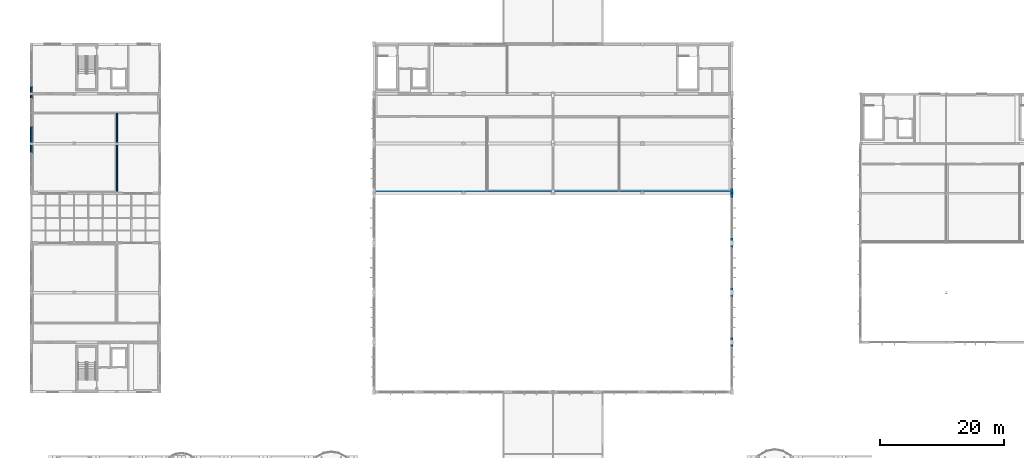
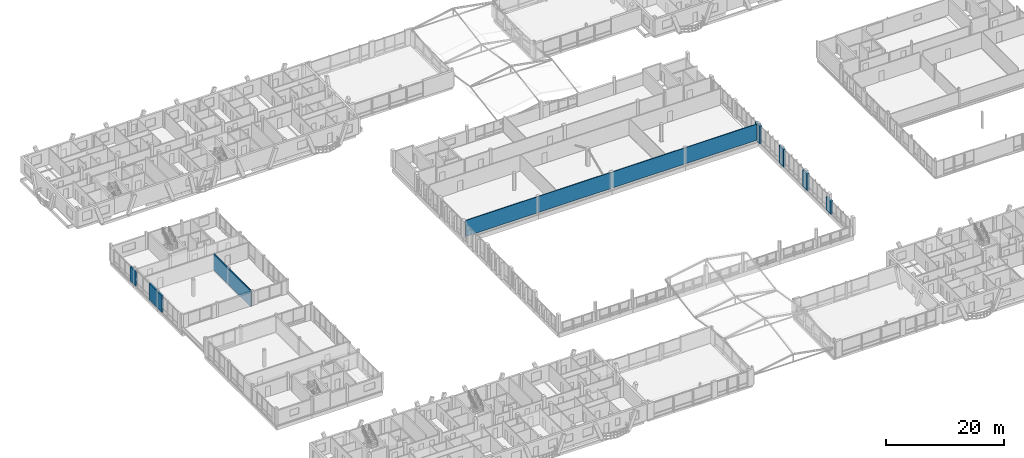
# One storey, part 149 of 189: 9 walls.
"""IFC4 building model written with IfcOpenShell, lengths in metres."""

import ifcopenshell
import ifcopenshell.guid

model = None  # the IFC model being written
_history = None  # IfcOwnerHistory: only IFC2X3 demands one
_inside = {}  # id of a spatial element -> (the spatial element, [elements in it])
_under = {}  # id of a project, library or spatial element -> (it, [spatial elements below it])
_declared = {}  # id of a project -> (the project, [libraries it declares])
_typed = {}  # id of a type object -> (the type object, [elements of that type])
_made_of = {}  # id of a material, layer set ... -> (it, [elements and type objects made of it])


def new_model(schema):
    """Start an empty IFC model of exactly this schema.

    Asked for "IFC4X3", IfcOpenShell would pick the latest addendum, in which some entities
    have other attributes; the version numbers below select the first issue.
    IFC2X3 requires an IfcOwnerHistory on every rooted entity: one is made here for all.
    """
    global model, _history
    if schema == "IFC4X3":
        model = ifcopenshell.file(schema_version=(4, 3, 0, 0))
    else:
        model = ifcopenshell.file(schema=schema)
    _inside.clear()
    _under.clear()
    _declared.clear()
    _typed.clear()
    _made_of.clear()
    _history = None
    if model.schema == "IFC2X3":
        org = make("IfcOrganization", Name="unknown")
        user = make(
            "IfcPersonAndOrganization",
            ThePerson=make("IfcPerson", FamilyName="unknown"),
            TheOrganization=org,
        )
        app = make(
            "IfcApplication",
            ApplicationDeveloper=org,
            Version="unknown",
            ApplicationFullName="unknown",
            ApplicationIdentifier="unknown",
        )
        _history = make(
            "IfcOwnerHistory",
            OwningUser=user,
            OwningApplication=app,
            ChangeAction="ADDED",
            CreationDate=0,
        )
    return model


def make(cls, **values):
    """One entity of the class cls with the attributes given. An attribute that is None is left unset."""
    return model.create_entity(
        cls, **{name: value for name, value in values.items() if value is not None}
    )


def rooted(cls, **values):
    """An entity with a GlobalId (a new one), such as an element, a storey or a relation."""
    return make(cls, GlobalId=ifcopenshell.guid.new(), OwnerHistory=_history, **values)


def si_unit(unit_type, name, prefix=None):
    """IfcSIUnit, for example si_unit("LENGTHUNIT", "METRE", prefix="MILLI")."""
    return make("IfcSIUnit", UnitType=unit_type, Prefix=prefix, Name=name)


def assignment(units):
    """IfcUnitAssignment: the units of a project."""
    return None if units is None else make("IfcUnitAssignment", Units=units)


def point(xyz):
    """IfcCartesianPoint."""
    return None if xyz is None else make("IfcCartesianPoint", Coordinates=xyz)


def direction(xyz):
    """IfcDirection."""
    return None if xyz is None else make("IfcDirection", DirectionRatios=xyz)


def frame(location, z_axis=None, x_axis=None):
    """IfcAxis2Placement3D, a coordinate frame: its origin and axes. An axis left out is left unset."""
    return make(
        "IfcAxis2Placement3D",
        Location=point(location),
        Axis=direction(z_axis),
        RefDirection=direction(x_axis),
    )


def frame_2d(location, x_axis=None):
    """IfcAxis2Placement2D, a coordinate frame in the plane: its origin and x axis."""
    return make(
        "IfcAxis2Placement2D", Location=point(location), RefDirection=direction(x_axis)
    )


def origin():
    """The frame at (0, 0, 0) with its axes left unset."""
    return frame((0.0, 0.0, 0.0))


def place(relative_to, where):
    """IfcLocalPlacement: puts the frame where relative to a parent placement (None: the world)."""
    return make(
        "IfcLocalPlacement", PlacementRelTo=relative_to, RelativePlacement=where
    )


def context(
    kind, dimensions, precision=None, world=None, true_north=None, identifier=None
):
    """IfcGeometricRepresentationContext, for example the 3D "Model" context."""
    return make(
        "IfcGeometricRepresentationContext",
        ContextIdentifier=identifier,
        ContextType=kind,
        CoordinateSpaceDimension=dimensions,
        Precision=precision,
        WorldCoordinateSystem=world,
        TrueNorth=true_north,
    )


def subcontext(parent, identifier, kind, view, scale=None):
    """IfcGeometricRepresentationSubContext, for example "Body" below "Model"."""
    return make(
        "IfcGeometricRepresentationSubContext",
        ContextIdentifier=identifier,
        ContextType=kind,
        ParentContext=parent,
        TargetScale=scale,
        TargetView=view,
    )


def project(units=None, contexts=None):
    """IfcProject with its units and contexts."""
    return rooted(
        "IfcProject",
        Name="project",
        RepresentationContexts=contexts,
        UnitsInContext=assignment(units),
    )


def spatial(cls, under=None, at=None, **own):
    """A site, building, storey or space (cls), placed at a placement, below another one or the project."""
    s = rooted(cls, ObjectPlacement=at, **own)
    if under is not None:
        _under.setdefault(under.id(), (under, []))[1].append(s)
    return s


def profile(cls, at=None, kind="AREA", **sizes):
    """A parametric profile (cls). Its sizes go by their IFC names, for example OverallWidth=200.0."""
    return make(cls, ProfileType=kind, Position=at, **sizes)


def rectangle(**sizes):
    """IfcRectangleProfileDef."""
    return profile("IfcRectangleProfileDef", **sizes)


def extrude(swept, where, along, depth):
    """IfcExtrudedAreaSolid: the profile swept, set in the frame where, extruded along a direction by depth."""
    return make(
        "IfcExtrudedAreaSolid",
        SweptArea=swept,
        Position=where,
        ExtrudedDirection=direction(along),
        Depth=depth,
    )


def shape(context_of_items, identifier, shape_type, items):
    """IfcShapeRepresentation: the items that make up one representation, for example the "Body"."""
    return make(
        "IfcShapeRepresentation",
        ContextOfItems=context_of_items,
        RepresentationIdentifier=identifier,
        RepresentationType=shape_type,
        Items=items,
    )


def material(Name=None, Category=None):
    """IfcMaterial."""
    return make("IfcMaterial", Name=Name, Category=Category)


def layer(
    of_material, thickness, ventilated=None, Name=None, Category=None, Priority=None
):
    """IfcMaterialLayer: one layer of a wall or slab, of a material (None: an air gap)."""
    return make(
        "IfcMaterialLayer",
        Material=of_material,
        LayerThickness=thickness,
        IsVentilated=ventilated,
        Name=Name,
        Category=Category,
        Priority=Priority,
    )


def layer_set(layers, Name=None):
    """IfcMaterialLayerSet."""
    return make("IfcMaterialLayerSet", MaterialLayers=layers, LayerSetName=Name)


def made_of(thing, what):
    """Note that an element or type object is made of a material, layer set ...; save() writes the relation."""
    if what is not None:
        _made_of.setdefault(what.id(), (what, []))[1].append(thing)
    return thing


def type_object(cls, material=None, **own):
    """A type object (cls), such as IfcWallType, which elements share."""
    return made_of(rooted(cls, **own), material)


def element(
    cls,
    number,
    at=None,
    inside=None,
    cuts=None,
    type_object=None,
    material=None,
    context=None,
    identifier="Body",
    shape_type=None,
    held_by="IfcProductDefinitionShape",
    body=None,
    shapes=None,
    **own,
):
    """One element of the class cls, such as IfcWall. Its Tag is "e" and its number.

    at: its placement. inside: the storey or other place that contains it. cuts: it is an
    opening in that element (IfcRelVoidsElement). A single representation is given by context,
    identifier, shape_type and body (its items); several are given by shapes. held_by: the class
    of the entity that holds the representations. save() writes the other relations.
    """
    e = rooted(cls, Tag="e%d" % number, ObjectPlacement=at, **own)
    if body is not None:
        shapes = [shape(context, identifier, shape_type, body)]
    if shapes is not None:
        e.Representation = make(held_by, Representations=shapes)
    if inside is not None:
        _inside.setdefault(inside.id(), (inside, []))[1].append(e)
    if cuts is not None:
        rooted(
            "IfcRelVoidsElement", RelatingBuildingElement=cuts, RelatedOpeningElement=e
        )
    if type_object is not None:
        _typed.setdefault(type_object.id(), (type_object, []))[1].append(e)
    return made_of(e, material)


def aggregate(whole, parts):
    """IfcRelAggregates: a whole, such as a stair, and the parts it consists of."""
    return rooted("IfcRelAggregates", RelatingObject=whole, RelatedObjects=parts)


def save(model, path):
    """Write the relations noted so far, then the file.

    IfcRelAggregates (storeys below a building ...), IfcRelContainedInSpatialStructure (elements
    in a storey), IfcRelDefinesByType, IfcRelAssociatesMaterial and IfcRelDeclares: one each for
    every whole, place, type object, material and project.
    """
    for whole, parts in _under.values():
        aggregate(whole, parts)
    for where, things in _inside.values():
        rooted(
            "IfcRelContainedInSpatialStructure",
            RelatedElements=things,
            RelatingStructure=where,
        )
    for kind, things in _typed.values():
        rooted("IfcRelDefinesByType", RelatedObjects=things, RelatingType=kind)
    for what, things in _made_of.values():
        rooted("IfcRelAssociatesMaterial", RelatedObjects=things, RelatingMaterial=what)
    for by, libraries in _declared.values():
        rooted("IfcRelDeclares", RelatingContext=by, RelatedDefinitions=libraries)
    model.write(path)


model = new_model("IFC4")

# Units and contexts
model_context = context("Model", 3, precision=1e-05, world=origin(), true_north=direction((0.0, 1.0)))
body_context = subcontext(model_context, "Body", "Model", "MODEL_VIEW")
ifc_project = project(units=[si_unit("LENGTHUNIT", "METRE"), si_unit("AREAUNIT", "SQUARE_METRE"), si_unit("VOLUMEUNIT", "CUBIC_METRE"), si_unit("PLANEANGLEUNIT", "RADIAN"), si_unit("MASSUNIT", "GRAM", prefix="KILO")], contexts=[model_context])

# Site, building, storey
site_placement = place(None, origin())
site = spatial("IfcSite", under=ifc_project, at=site_placement, CompositionType="ELEMENT")
building_placement = place(site_placement, origin())
building = spatial("IfcBuilding", under=site, at=building_placement, Name="Zavelmont Quarter", CompositionType="ELEMENT")
storey_placement = place(building_placement, frame((0.0, 0.0, 4.39990234375)))
storey = spatial("IfcBuildingStorey", under=building, at=storey_placement, Name="L01", CompositionType="ELEMENT", Elevation=4.39990234375)

# Walls
ifc_material_1 = material(Name="Natural Belgian limestone", Category="masonry")
ifc_layer_1 = layer(ifc_material_1, 0.419921875)
ifc_layer_set_1 = layer_set([ifc_layer_1], Name="Natural Belgian limestone")
wall_type_1 = type_object("IfcWallType", Name="EW04", PredefinedType="STANDARD", material=ifc_layer_set_1)
wall_1_placement = place(storey_placement, frame((112.800048828125, 37.199951171875, -0.27978515625), z_axis=(0.0, 0.0, 1.0), x_axis=(0.0, 1.0, 0.0)))
element("IfcWall", 1, at=wall_1_placement, inside=storey, type_object=wall_type_1, Name="L01 exterior limestone wall EW04", PredefinedType="STANDARD", context=body_context, shape_type="SweptSolid", body=[
    extrude(rectangle(XDim=1.60009765625, YDim=0.419921875, at=frame_2d((0.800048828125, 0.0))), origin(), (0.0, 0.0, 1.0), 2.6748046875),
])
wall_2_placement = place(storey_placement, frame((112.800048828125, 45.199951171875, -0.27978515625), z_axis=(0.0, 0.0, 1.0), x_axis=(0.0, 1.0, 0.0)))
element("IfcWall", 2, at=wall_2_placement, inside=storey, type_object=wall_type_1, Name="L01 exterior limestone wall EW04", PredefinedType="STANDARD", context=body_context, shape_type="SweptSolid", body=[
    extrude(rectangle(XDim=1.60009765625, YDim=0.419921875, at=frame_2d((0.800048828125, 0.0))), origin(), (0.0, 0.0, 1.0), 3.4248046875),
])
wall_3_placement = place(storey_placement, frame((112.800048828125, 53.199951171875, -0.27978515625), z_axis=(0.0, 0.0, 1.0), x_axis=(0.0, 1.0, 0.0)))
element("IfcWall", 3, at=wall_3_placement, inside=storey, type_object=wall_type_1, Name="L01 exterior limestone wall EW04", PredefinedType="STANDARD", context=body_context, shape_type="SweptSolid", body=[
    extrude(rectangle(XDim=1.60009765625, YDim=0.419921875, at=frame_2d((0.800048828125, 0.0))), origin(), (0.0, 0.0, 1.0), 3.619873046875),
])
wall_4_placement = place(storey_placement, frame((112.800048828125, 61.199951171875, -0.27978515625), z_axis=(0.0, 0.0, 1.0), x_axis=(0.0, 1.0, 0.0)))
element("IfcWall", 4, at=wall_4_placement, inside=storey, type_object=wall_type_1, Name="L01 exterior limestone wall EW04", PredefinedType="STANDARD", context=body_context, shape_type="SweptSolid", body=[
    extrude(rectangle(XDim=0.800048828125, YDim=0.419921875, at=frame_2d((0.39990234375, 0.0))), origin(), (0.0, 0.0, 1.0), 3.619873046875),
])
wall_5_placement = place(storey_placement, frame((112.800048828125, 62.0, 0.0), z_axis=(0.0, 0.0, 1.0), x_axis=(0.0, 1.0, 0.0)))
element("IfcWall", 5, at=wall_5_placement, inside=storey, type_object=wall_type_1, Name="L01 exterior limestone wall EW04", PredefinedType="STANDARD", context=body_context, shape_type="SweptSolid", body=[
    extrude(rectangle(XDim=0.800048828125, YDim=0.419921875, at=frame_2d((0.39990234375, 0.0))), origin(), (0.0, 0.0, 1.0), 3.340087890625),
])
ifc_layer_2 = layer(ifc_material_1, 0.31005859375)
ifc_layer_set_2 = layer_set([ifc_layer_2], Name="Natural Belgian limestone")
wall_type_2 = type_object("IfcWallType", Name="EW06", PredefinedType="STANDARD", material=ifc_layer_set_2)
wall_6_placement = place(storey_placement, frame((0.0, 68.39990234375, 0.0), z_axis=(0.0, 0.0, 1.0), x_axis=(0.0, 1.0, 0.0)))
element("IfcWall", 6, at=wall_6_placement, inside=storey, type_object=wall_type_2, Name="L01 exterior limestone wall EW06", PredefinedType="STANDARD", context=body_context, shape_type="SweptSolid", body=[
    extrude(rectangle(XDim=4.400146484375, YDim=0.31005859375, at=frame_2d((2.2001953125, 0.0))), origin(), (0.0, 0.0, 1.0), 3.330078125),
])
wall_7_placement = place(storey_placement, frame((0.0, 77.199951171875, 0.0), z_axis=(0.0, 0.0, 1.0), x_axis=(0.0, 1.0, 0.0)))
element("IfcWall", 7, at=wall_7_placement, inside=storey, type_object=wall_type_2, Name="L01 exterior limestone wall EW06", PredefinedType="STANDARD", context=body_context, shape_type="SweptSolid", body=[
    extrude(rectangle(XDim=2.0, YDim=0.31005859375, at=frame_2d((1.0, 0.0))), origin(), (0.0, 0.0, 1.0), 2.960205078125),
])
ifc_material_2 = material(Name="Calcium-silicate blockwork and acoustic plaster", Category="masonry")
ifc_layer_3 = layer(ifc_material_2, 0.199951171875)
ifc_layer_set_3 = layer_set([ifc_layer_3], Name="Calcium-silicate blockwork and acoustic plaster")
wall_type_3 = type_object("IfcWallType", Name="IW01", PredefinedType="PARTITIONING", material=ifc_layer_set_3)
wall_8_placement = place(storey_placement, frame((13.800048828125, 62.300048828125, 0.0), z_axis=(0.0, 0.0, 1.0), x_axis=(0.0, 1.0, 0.0)))
element("IfcWall", 8, at=wall_8_placement, inside=storey, type_object=wall_type_3, Name="L01 Interior partition IW01", PredefinedType="PARTITIONING", context=body_context, shape_type="SweptSolid", body=[
    extrude(rectangle(XDim=12.599853515625, YDim=0.199951171875, at=frame_2d((6.2998046875, 0.0))), origin(), (0.0, 0.0, 1.0), 3.330078125),
])
ifc_material_3 = material(Name="Acoustic glazed studio screen partition")
ifc_layer_4 = layer(ifc_material_3, 0.14990234375)
ifc_layer_set_4 = layer_set([ifc_layer_4], Name="Acoustic glazed studio screen partition")
wall_type_4 = type_object("IfcWallType", Name="IW05", PredefinedType="PARTITIONING", material=ifc_layer_set_4)
wall_9_placement = place(storey_placement, frame((55.5, 62.14990234375, 0.0), z_axis=(0.0, 0.0, 1.0), x_axis=(1.0, 0.0, 0.0)))
element("IfcWall", 9, at=wall_9_placement, inside=storey, type_object=wall_type_4, Name="L01 Community Hall mezzanine acoustic overlook wall IW05", PredefinedType="PARTITIONING", context=body_context, shape_type="SweptSolid", body=[
    extrude(rectangle(XDim=57.0, YDim=0.14990234375, at=frame_2d((28.5, 0.0))), origin(), (0.0, 0.0, 1.0), 3.330078125),
])

save(model, "model.ifc")
